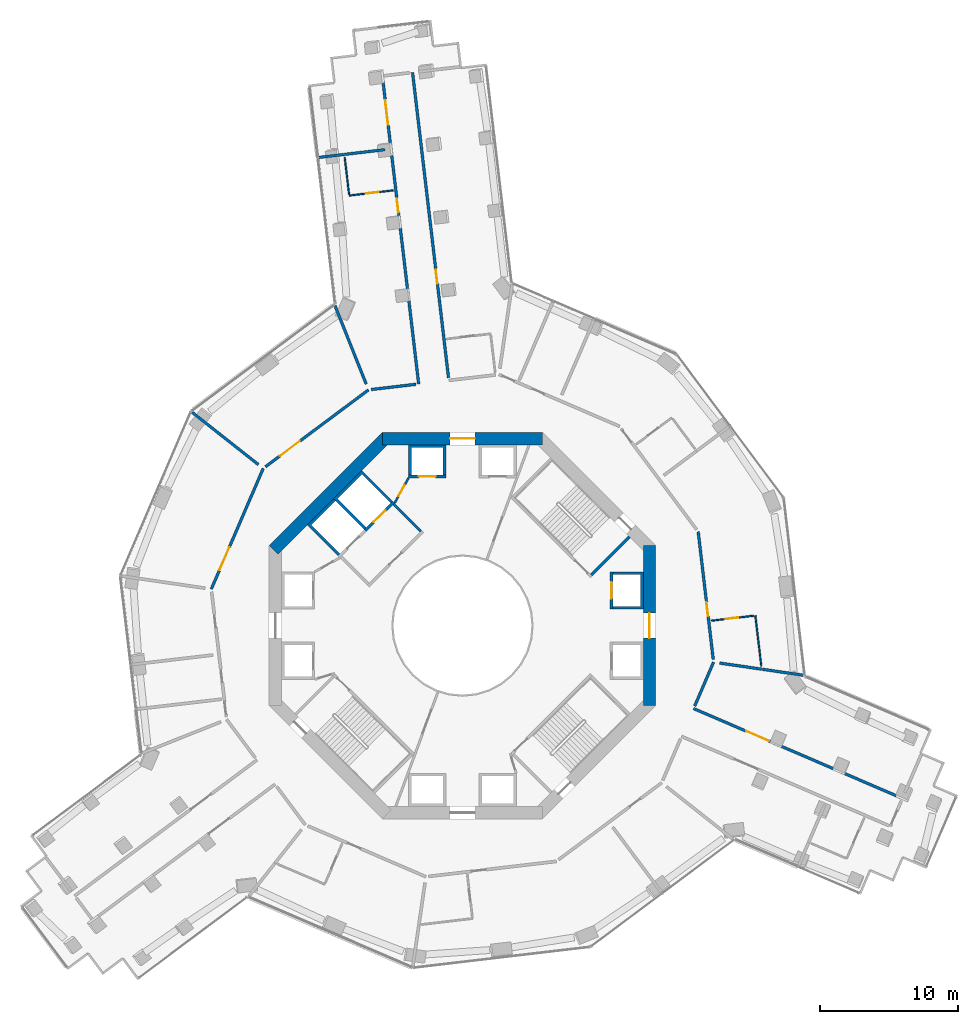
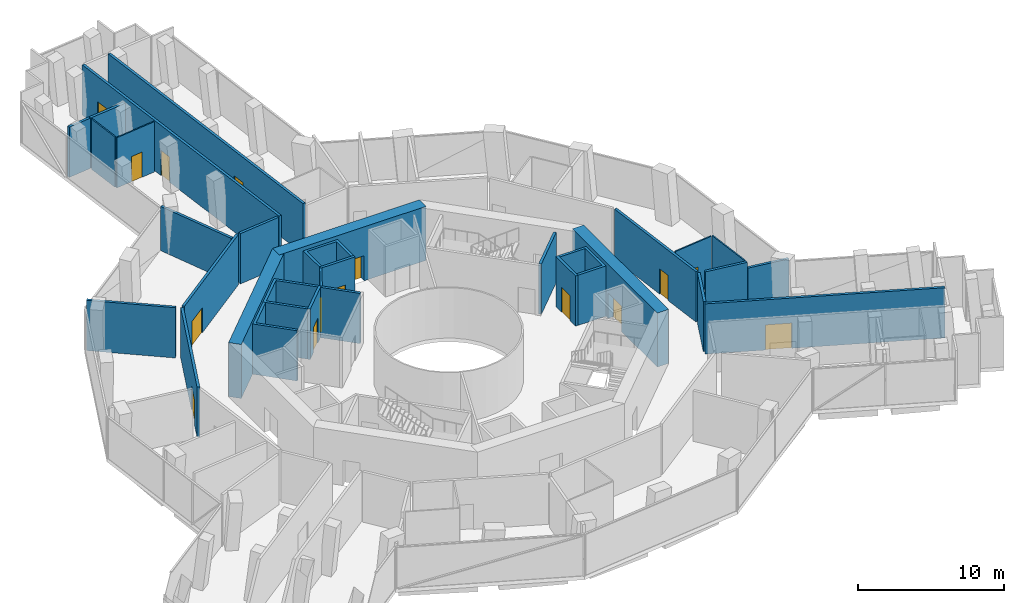
# One storey, part 13 of 17: 31 walls, 15 doors, 15 openings.
"""IFC4 building model written with IfcOpenShell, lengths in metres."""

from ifc_helpers import new_model, si_unit, direction, frame, frame_2d, origin, place, context, subcontext, project, spatial, polyline, rectangle, outline, extrude, material, layer, layer_set, type_object, element, fill, save


model = new_model("IFC4")

# Units and contexts
model_context = context("Model", 3, precision=1e-05, world=origin(), true_north=direction((0.0, 1.0)))
body_context = subcontext(model_context, "Body", "Model", "MODEL_VIEW")
ifc_project = project(units=[si_unit("LENGTHUNIT", "METRE"), si_unit("AREAUNIT", "SQUARE_METRE"), si_unit("VOLUMEUNIT", "CUBIC_METRE"), si_unit("PLANEANGLEUNIT", "RADIAN"), si_unit("MASSUNIT", "GRAM", prefix="KILO")], contexts=[model_context])

# Site, building, storey
site_placement = place(None, origin())
site = spatial("IfcSite", under=ifc_project, at=site_placement, CompositionType="ELEMENT")
building_placement = place(site_placement, origin())
building = spatial("IfcBuilding", under=site, at=building_placement, Name="Verdalira Terraces Hotel", CompositionType="ELEMENT")
storey_placement = place(building_placement, frame((0.0, 0.0, 60.0)))
storey = spatial("IfcBuildingStorey", under=building, at=storey_placement, Name="L13", CompositionType="ELEMENT", Elevation=60.0)

# Wall
ifc_material_1 = material(Name="Moisture-resistant gypsum board partition")
ifc_layer_1 = layer(ifc_material_1, 0.10009765625)
ifc_layer_set_1 = layer_set([ifc_layer_1], Name="Bathroom partition 100 mm")
wall_type_1 = type_object("IfcWallType", Name="Bathroom partition 100 mm", PredefinedType="PARTITIONING", material=ifc_layer_set_1)
wall_1_placement = place(storey_placement, frame((-8.213867, 31.256104, 0.0), z_axis=(0.0, 0.0, 1.0), x_axis=(-0.117009133, 0.993130839, 0.0)))
element("IfcWall", 1, at=wall_1_placement, inside=storey, type_object=wall_type_1, Name="Bathroom partition", PredefinedType="PARTITIONING", context=body_context, shape_type="SweptSolid", body=[
    extrude(rectangle(XDim=2.699951, YDim=0.100098, at=frame_2d((1.350098, 0.0))), origin(), (0.0, 0.0, 1.0), 4.189941),
])

# Wall, opening, door
wall_2_placement = place(storey_placement, frame((-8.202148, 31.156738, 0.0), z_axis=(0.0, 0.0, 1.0), x_axis=(0.993136536, 0.116960767, 0.0)))
wall_2 = element("IfcWall", 2, at=wall_2_placement, inside=storey, type_object=wall_type_1, Name="Bathroom partition", PredefinedType="PARTITIONING", context=body_context, shape_type="SweptSolid", body=[
    extrude(rectangle(XDim=3.199951, YDim=0.100098, at=frame_2d((1.600098, 0.0))), origin(), (0.0, 0.0, 1.0), 4.189941),
])
opening_1_placement = place(wall_2_placement, frame((1.25, 0.0, 0.0)))
opening_1 = element("IfcOpeningElement", 3, at=opening_1_placement, cuts=wall_2, Name="Opening L13-105", PredefinedType="OPENING", context=body_context, shape_type="SweptSolid", body=[
    extrude(rectangle(XDim=0.899902, YDim=2.100098, at=frame_2d((0.449951, 1.050049))), frame((0.0, 0.060059, 0.0), z_axis=(0.0, -1.0, 0.0), x_axis=(1.0, 0.0, 0.0)), (0.0, 0.0, 1.0), 0.120117),
])
ifc_material_2 = material(Name="Timber door", Category="wood")
door_type_1 = type_object("IfcDoorType", Name="Bathroom door 900 x 2100", OperationType="NOTDEFINED", PredefinedType="DOOR", material=ifc_material_2)
door_1_placement = place(opening_1_placement, origin())
door_1 = element("IfcDoor", 4, at=door_1_placement, inside=storey, type_object=door_type_1, Name="Bathroom door 1303", OperationType="SINGLE_SWING_LEFT", OverallHeight=2.10009765625, OverallWidth=0.89990234375, PredefinedType="DOOR", context=body_context, shape_type="SweptSolid", body=[
    extrude(rectangle(XDim=0.899902, YDim=2.100098, at=frame_2d((0.449951, 1.050049))), frame((0.0, 0.024902, 0.0), z_axis=(0.0, -1.0, 0.0), x_axis=(1.0, 0.0, 0.0)), (0.0, 0.0, 1.0), 0.050049),
])
fill(opening_1, door_1)

wall_3_placement = place(storey_placement, frame((21.119385, 0.718018, 0.0), z_axis=(0.0, 0.0, 1.0), x_axis=(-0.993128007, -0.117033166, 0.0)))
wall_3 = element("IfcWall", 5, at=wall_3_placement, inside=storey, type_object=wall_type_1, Name="Bathroom partition", PredefinedType="PARTITIONING", context=body_context, shape_type="SweptSolid", body=[
    extrude(rectangle(XDim=3.099854, YDim=0.100098, at=frame_2d((1.549805, 0.0))), origin(), (0.0, 0.0, 1.0), 4.189941),
])
opening_2_placement = place(wall_3_placement, frame((1.149902, 0.0, 0.0)))
opening_2 = element("IfcOpeningElement", 6, at=opening_2_placement, cuts=wall_3, Name="Opening L13-121", PredefinedType="OPENING", context=body_context, shape_type="SweptSolid", body=[
    extrude(rectangle(XDim=0.899902, YDim=2.100098, at=frame_2d((0.449951, 1.050049))), frame((0.0, 0.060059, 0.0), z_axis=(0.0, -1.0, 0.0), x_axis=(1.0, 0.0, 0.0)), (0.0, 0.0, 1.0), 0.120117),
])
door_2_placement = place(opening_2_placement, origin())
door_2 = element("IfcDoor", 7, at=door_2_placement, inside=storey, type_object=door_type_1, Name="Bathroom door 1315", OperationType="SINGLE_SWING_LEFT", OverallHeight=2.10009765625, OverallWidth=0.89990234375, PredefinedType="DOOR", context=body_context, shape_type="SweptSolid", body=[
    extrude(rectangle(XDim=0.899902, YDim=2.100098, at=frame_2d((0.449951, 1.050049))), frame((0.0, 0.024902, 0.0), z_axis=(0.0, -1.0, 0.0), x_axis=(1.0, 0.0, 0.0)), (0.0, 0.0, 1.0), 0.050049),
])
fill(opening_2, door_2)

# Walls
wall_4_placement = place(storey_placement, frame((21.21875, 0.729492, 0.0), z_axis=(0.0, 0.0, 1.0), x_axis=(0.116998046, -0.993132145, 0.0)))
element("IfcWall", 8, at=wall_4_placement, inside=storey, type_object=wall_type_1, Name="Bathroom partition", PredefinedType="PARTITIONING", context=body_context, shape_type="SweptSolid", body=[
    extrude(rectangle(XDim=3.703857, YDim=0.100098, at=frame_2d((1.852051, 0.0))), origin(), (0.0, 0.0, 1.0), 4.189941),
])
ifc_material_3 = material(Name="Concrete C50", Category="concrete")
ifc_layer_2 = layer(ifc_material_3, 0.199951171875)
ifc_layer_set_2 = layer_set([ifc_layer_2], Name="Core RC wall 200 C50")
wall_type_2 = type_object("IfcWallType", Name="Core RC wall 200 C50", PredefinedType="SOLIDWALL", material=ifc_layer_set_2)
wall_5_placement = place(storey_placement, origin())
element("IfcWall", 9, at=wall_5_placement, inside=storey, type_object=wall_type_2, Name="L13 shaft wall E2", PredefinedType="SOLIDWALL", context=body_context, shape_type="SweptSolid", body=[
    extrude(outline(polyline([(13.100098, 3.899902), (13.100098, 1.199951), (10.899902, 1.199951), (10.899902, 1.399902), (12.899902, 1.399902), (12.899902, 3.699951), (10.899902, 3.699951), (10.899902, 3.899902), (13.100098, 3.899902)])), origin(), (0.0, 0.0, 1.0), 4.189941),
])

# Wall, opening, door
wall_6_placement = place(storey_placement, frame((10.800049, 1.199951, 0.0), z_axis=(0.0, 0.0, 1.0), x_axis=(0.0, 1.0, 0.0)))
wall_6 = element("IfcWall", 10, at=wall_6_placement, inside=storey, type_object=wall_type_2, Name="L13 shaft front wall E2", PredefinedType="SOLIDWALL", context=body_context, shape_type="SweptSolid", body=[
    extrude(rectangle(XDim=2.699951, YDim=0.199951, at=frame_2d((1.350098, 0.0))), origin(), (0.0, 0.0, 1.0), 4.189941),
])
opening_3_placement = place(wall_6_placement, frame((0.75, 0.0, 0.0)))
opening_3 = element("IfcOpeningElement", 11, at=opening_3_placement, cuts=wall_6, Name="Opening LD-L13-802", PredefinedType="OPENING", context=body_context, shape_type="SweptSolid", body=[
    extrude(rectangle(XDim=1.199951, YDim=2.100098, at=frame_2d((0.600098, 1.050049))), frame((0.0, 0.109863, 0.0), z_axis=(0.0, -1.0, 0.0), x_axis=(1.0, 0.0, 0.0)), (0.0, 0.0, 1.0), 0.219971),
])
ifc_material_4 = material(Name="Stainless steel", Category="steel")
door_type_2 = type_object("IfcDoorType", Name="Landing door 1200 x 2100", OperationType="NOTDEFINED", PredefinedType="DOOR", material=ifc_material_4)
door_3_placement = place(opening_3_placement, origin())
door_3 = element("IfcDoor", 12, at=door_3_placement, inside=storey, type_object=door_type_2, Name="Lift landing door LR2 L13", OperationType="DOUBLE_DOOR_SLIDING", OverallHeight=2.10009765625, OverallWidth=1.199951171875, PredefinedType="DOOR", context=body_context, shape_type="SweptSolid", body=[
    extrude(rectangle(XDim=1.199951, YDim=2.100098, at=frame_2d((0.600098, 1.050049))), frame((0.0, 0.024902, 0.0), z_axis=(0.0, -1.0, 0.0), x_axis=(1.0, 0.0, 0.0)), (0.0, 0.0, 1.0), 0.050049),
])
fill(opening_3, door_3)

# Wall
wall_7_placement = place(storey_placement, origin())
element("IfcWall", 13, at=wall_7_placement, inside=storey, type_object=wall_type_2, Name="L13 shaft wall N2", PredefinedType="SOLIDWALL", context=body_context, shape_type="SweptSolid", body=[
    extrude(outline(polyline([(-3.899902, 10.899902), (-3.899902, 13.100098), (-1.199951, 13.100098), (-1.199951, 10.899902), (-1.399902, 10.899902), (-1.399902, 12.899902), (-3.699951, 12.899902), (-3.699951, 10.899902), (-3.899902, 10.899902)])), origin(), (0.0, 0.0, 1.0), 4.189941),
])

# Wall, opening, door
wall_8_placement = place(storey_placement, frame((-1.199951, 10.800049, 0.0), z_axis=(0.0, 0.0, 1.0), x_axis=(-1.0, 0.0, 0.0)))
wall_8 = element("IfcWall", 14, at=wall_8_placement, inside=storey, type_object=wall_type_2, Name="L13 shaft front wall N2", PredefinedType="SOLIDWALL", context=body_context, shape_type="SweptSolid", body=[
    extrude(rectangle(XDim=2.699951, YDim=0.199951, at=frame_2d((1.350098, 0.0))), origin(), (0.0, 0.0, 1.0), 4.189941),
])
opening_4_placement = place(wall_8_placement, frame((0.75, 0.0, 0.0)))
opening_4 = element("IfcOpeningElement", 15, at=opening_4_placement, cuts=wall_8, Name="Opening LD-L13-804", PredefinedType="OPENING", context=body_context, shape_type="SweptSolid", body=[
    extrude(rectangle(XDim=1.199951, YDim=2.100098, at=frame_2d((0.600098, 1.050049))), frame((0.0, 0.109863, 0.0), z_axis=(0.0, -1.0, 0.0), x_axis=(1.0, 0.0, 0.0)), (0.0, 0.0, 1.0), 0.219971),
])
door_4_placement = place(opening_4_placement, origin())
door_4 = element("IfcDoor", 16, at=door_4_placement, inside=storey, type_object=door_type_2, Name="Lift landing door LR4 L13", OperationType="DOUBLE_DOOR_SLIDING", OverallHeight=2.10009765625, OverallWidth=1.199951171875, PredefinedType="DOOR", context=body_context, shape_type="SweptSolid", body=[
    extrude(rectangle(XDim=1.199951, YDim=2.100098, at=frame_2d((0.600098, 1.050049))), frame((0.0, 0.024902, 0.0), z_axis=(0.0, -1.0, 0.0), x_axis=(1.0, 0.0, 0.0)), (0.0, 0.0, 1.0), 0.050049),
])
fill(opening_4, door_4)

# Wall
wall_9_placement = place(storey_placement, origin())
element("IfcWall", 17, at=wall_9_placement, inside=storey, type_object=wall_type_2, Name="L13 shaft wall F1", PredefinedType="SOLIDWALL", context=body_context, shape_type="SweptSolid", body=[
    extrude(outline(polyline([(-9.33374, 9.192383), (-7.283203, 11.24292), (-5.055908, 9.015625), (-5.197266, 8.874268), (-7.283203, 10.960205), (-9.051025, 9.192383), (-6.965088, 7.106445), (-7.106445, 6.965088), (-9.33374, 9.192383)])), origin(), (0.0, 0.0, 1.0), 4.189941),
])

# Wall, opening, door
wall_10_placement = place(storey_placement, frame((-4.985107, 8.944824, 0.0), z_axis=(0.0, 0.0, 1.0), x_axis=(-0.707106781, -0.707106781, 0.0)))
wall_10 = element("IfcWall", 18, at=wall_10_placement, inside=storey, type_object=wall_type_2, Name="L13 shaft front wall F1", PredefinedType="SOLIDWALL", context=body_context, shape_type="SweptSolid", body=[
    extrude(rectangle(XDim=2.899902, YDim=0.199951, at=frame_2d((1.449951, 0.0))), origin(), (0.0, 0.0, 1.0), 4.189941),
])
opening_5_placement = place(wall_10_placement, frame((0.850098, 0.0, 0.0)))
opening_5 = element("IfcOpeningElement", 19, at=opening_5_placement, cuts=wall_10, Name="Opening LD-L13-807", PredefinedType="OPENING", context=body_context, shape_type="SweptSolid", body=[
    extrude(rectangle(XDim=1.199951, YDim=2.100098, at=frame_2d((0.600098, 1.050049))), frame((0.0, 0.109863, 0.0), z_axis=(0.0, -1.0, 0.0), x_axis=(1.0, 0.0, 0.0)), (0.0, 0.0, 1.0), 0.219971),
])
door_5_placement = place(opening_5_placement, origin())
door_5 = element("IfcDoor", 20, at=door_5_placement, inside=storey, type_object=door_type_2, Name="Lift landing door LF11 L13", OperationType="DOUBLE_DOOR_SLIDING", OverallHeight=2.10009765625, OverallWidth=1.199951171875, PredefinedType="DOOR", context=body_context, shape_type="SweptSolid", body=[
    extrude(rectangle(XDim=1.199951, YDim=2.100098, at=frame_2d((0.600098, 1.050049))), frame((0.0, 0.024902, 0.0), z_axis=(0.0, -1.0, 0.0), x_axis=(1.0, 0.0, 0.0)), (0.0, 0.0, 1.0), 0.050049),
])
fill(opening_5, door_5)

# Walls
wall_11_placement = place(storey_placement, origin())
element("IfcWall", 21, at=wall_11_placement, inside=storey, type_object=wall_type_2, Name="L13 shaft wall F2", PredefinedType="SOLIDWALL", context=body_context, shape_type="SweptSolid", body=[
    extrude(outline(polyline([(-11.24292, 7.283203), (-9.33374, 9.192383), (-9.192383, 9.051025), (-10.960205, 7.283203), (-8.874268, 5.197266), (-9.015625, 5.055908), (-11.24292, 7.283203)])), origin(), (0.0, 0.0, 1.0), 4.189941),
])
wall_12_placement = place(storey_placement, frame((9.33374, 3.677002, 0.0), z_axis=(0.0, 0.0, 1.0), x_axis=(0.707106781, 0.707106781, 0.0)))
element("IfcWall", 22, at=wall_12_placement, inside=storey, type_object=wall_type_2, Name="L13 stair ST1 end wall 1", PredefinedType="SOLIDWALL", context=body_context, shape_type="SweptSolid", body=[
    extrude(rectangle(XDim=3.900146, YDim=0.199951, at=frame_2d((1.950195, 0.0))), origin(), (0.0, 0.0, 1.0), 4.189941),
])
wall_13_placement = place(storey_placement, frame((-3.005127, 6.823486, 0.0), z_axis=(0.0, 0.0, 1.0), x_axis=(-0.707106781, 0.707106781, 0.0)))
element("IfcWall", 23, at=wall_13_placement, inside=storey, type_object=wall_type_2, Name="L13 fire lobby wall", PredefinedType="SOLIDWALL", context=body_context, shape_type="SweptSolid", body=[
    extrude(rectangle(XDim=2.800049, YDim=0.199951, at=frame_2d((1.399902, 0.0))), origin(), (0.0, 0.0, 1.0), 4.189941),
])

# Wall, opening, door
ifc_material_5 = material(Name="Gypsum board partition")
ifc_layer_3 = layer(ifc_material_5, 0.14990234375)
ifc_layer_set_3 = layer_set([ifc_layer_3], Name="Core partition 150 mm")
wall_type_3 = type_object("IfcWallType", Name="Core partition 150 mm", PredefinedType="PARTITIONING", material=ifc_layer_set_3)
wall_14_placement = place(storey_placement, frame((-3.899902, 10.699951, 0.0), z_axis=(0.0, 0.0, 1.0), x_axis=(-0.485692555, -0.874129705, 0.0)))
wall_14 = element("IfcWall", 24, at=wall_14_placement, inside=storey, type_object=wall_type_3, Name="Room partition L13", PredefinedType="PARTITIONING", context=body_context, shape_type="SweptSolid", body=[
    extrude(rectangle(XDim=2.088623, YDim=0.149902, at=frame_2d((1.044434, 0.0))), origin(), (0.0, 0.0, 1.0), 4.189941),
])
opening_6_placement = place(wall_14_placement, frame((0.594238, 0.0, 0.0)))
opening_6 = element("IfcOpeningElement", 25, at=opening_6_placement, cuts=wall_14, Name="Opening L13-820", PredefinedType="OPENING", context=body_context, shape_type="SweptSolid", body=[
    extrude(rectangle(XDim=0.899902, YDim=2.100098, at=frame_2d((0.449951, 1.050049))), frame((0.0, 0.084961, 0.0), z_axis=(0.0, -1.0, 0.0), x_axis=(1.0, 0.0, 0.0)), (0.0, 0.0, 1.0), 0.169922),
])
ifc_material_6 = material(Name="Steel fire door", Category="steel")
door_type_3 = type_object("IfcDoorType", Name="Core room door 900 x 2100", OperationType="NOTDEFINED", PredefinedType="DOOR", material=ifc_material_6)
door_6_placement = place(opening_6_placement, origin())
door_6 = element("IfcDoor", 26, at=door_6_placement, inside=storey, type_object=door_type_3, Name="Door L13 room2", OperationType="SINGLE_SWING_LEFT", OverallHeight=2.10009765625, OverallWidth=0.89990234375, PredefinedType="DOOR", context=body_context, shape_type="SweptSolid", body=[
    extrude(rectangle(XDim=0.899902, YDim=2.100098, at=frame_2d((0.449951, 1.050049))), frame((0.0, 0.024902, 0.0), z_axis=(0.0, -1.0, 0.0), x_axis=(1.0, 0.0, 0.0)), (0.0, 0.0, 1.0), 0.050049),
])
fill(opening_6, door_6)

ifc_material_7 = material(Name="Concrete C70", Category="concrete")
ifc_layer_4 = layer(ifc_material_7, 0.89990234375)
ifc_layer_set_4 = layer_set([ifc_layer_4], Name="Core wall 900 C70")
wall_type_4 = type_object("IfcWallType", Name="Core wall 900 C70", PredefinedType="SHEAR", material=ifc_layer_set_4)
wall_15_placement = place(storey_placement, frame((13.550049, -5.799072, 0.0), z_axis=(0.0, 0.0, 1.0), x_axis=(0.0, 1.0, 0.0)))
wall_15 = element("IfcWall", 27, at=wall_15_placement, inside=storey, type_object=wall_type_4, Name="Core wall CW-L13-1", PredefinedType="SHEAR", context=body_context, shape_type="SweptSolid", body=[
    extrude(rectangle(XDim=11.598145, YDim=0.899902, at=frame_2d((5.799072, 0.0))), origin(), (0.0, 0.0, 1.0), 4.5),
])
opening_7_placement = place(wall_15_placement, frame((4.898926, 0.0, 0.0)))
opening_7 = element("IfcOpeningElement", 28, at=opening_7_placement, cuts=wall_15, Name="Opening L13-812", PredefinedType="OPENING", context=body_context, shape_type="SweptSolid", body=[
    extrude(rectangle(XDim=1.800049, YDim=2.100098, at=frame_2d((0.899902, 1.050049))), frame((0.0, 0.459961, 0.0), z_axis=(0.0, -1.0, 0.0), x_axis=(1.0, 0.0, 0.0)), (0.0, 0.0, 1.0), 0.919922),
])
ifc_material_8 = material(Name="Steel fire door", Category="steel")
door_type_4 = type_object("IfcDoorType", Name="Core entry door pair 1800 x 2100", OperationType="NOTDEFINED", PredefinedType="DOOR", material=ifc_material_8)
door_7_placement = place(opening_7_placement, origin())
door_7 = element("IfcDoor", 29, at=door_7_placement, inside=storey, type_object=door_type_4, Name="Core entry door L13 0", OperationType="DOUBLE_DOOR_SINGLE_SWING", OverallHeight=2.10009765625, OverallWidth=1.800048828125, PredefinedType="DOOR", context=body_context, shape_type="SweptSolid", body=[
    extrude(rectangle(XDim=1.800049, YDim=2.100098, at=frame_2d((0.899902, 1.050049))), frame((0.0, 0.024902, 0.0), z_axis=(0.0, -1.0, 0.0), x_axis=(1.0, 0.0, 0.0)), (0.0, 0.0, 1.0), 0.050049),
])
fill(opening_7, door_7)

wall_16_placement = place(storey_placement, frame((5.799072, 13.550049, 0.0), z_axis=(0.0, 0.0, 1.0), x_axis=(-1.0, 0.0, 0.0)))
wall_16 = element("IfcWall", 30, at=wall_16_placement, inside=storey, type_object=wall_type_4, Name="Core wall CW-L13-3", PredefinedType="SHEAR", context=body_context, shape_type="SweptSolid", body=[
    extrude(rectangle(XDim=11.598145, YDim=0.899902, at=frame_2d((5.799072, 0.0))), origin(), (0.0, 0.0, 1.0), 4.5),
])
opening_8_placement = place(wall_16_placement, frame((4.898926, 0.0, 0.0)))
opening_8 = element("IfcOpeningElement", 31, at=opening_8_placement, cuts=wall_16, Name="Opening L13-813", PredefinedType="OPENING", context=body_context, shape_type="SweptSolid", body=[
    extrude(rectangle(XDim=1.800049, YDim=2.100098, at=frame_2d((0.899902, 1.050049))), frame((0.0, 0.459961, 0.0), z_axis=(0.0, -1.0, 0.0), x_axis=(1.0, 0.0, 0.0)), (0.0, 0.0, 1.0), 0.919922),
])
door_8_placement = place(opening_8_placement, origin())
door_8 = element("IfcDoor", 32, at=door_8_placement, inside=storey, type_object=door_type_4, Name="Core entry door L13 2", OperationType="DOUBLE_DOOR_SINGLE_SWING", OverallHeight=2.10009765625, OverallWidth=1.800048828125, PredefinedType="DOOR", context=body_context, shape_type="SweptSolid", body=[
    extrude(rectangle(XDim=1.800049, YDim=2.100098, at=frame_2d((0.899902, 1.050049))), frame((0.0, 0.024902, 0.0), z_axis=(0.0, -1.0, 0.0), x_axis=(1.0, 0.0, 0.0)), (0.0, 0.0, 1.0), 0.050049),
])
fill(opening_8, door_8)

# Walls
wall_17_placement = place(storey_placement, frame((-5.480713, 13.681885, 0.0), z_axis=(0.0, 0.0, 1.0), x_axis=(-0.707106781, -0.707106781, 0.0)))
element("IfcWall", 33, at=wall_17_placement, inside=storey, type_object=wall_type_4, Name="Core wall CW-L13-4", PredefinedType="SHEAR", context=body_context, shape_type="SweptSolid", body=[
    extrude(rectangle(XDim=11.598145, YDim=0.899902, at=frame_2d((5.799072, 0.0))), origin(), (0.0, 0.0, 1.0), 4.5),
])
ifc_material_9 = material(Name="Fire-rated gypsum board wall")
ifc_layer_5 = layer(ifc_material_9, 0.199951171875)
ifc_layer_set_5 = layer_set([ifc_layer_5], Name="Demising wall 200 mm")
wall_type_5 = type_object("IfcWallType", Name="Demising wall 200 mm", PredefinedType="SOLIDWALL", material=ifc_layer_set_5)
wall_18_placement = place(storey_placement, frame((-14.782959, 11.666504, 0.0), z_axis=(0.0, 0.0, 1.0), x_axis=(-0.78499995, 0.619495827, 0.0)))
element("IfcWall", 34, at=wall_18_placement, inside=storey, type_object=wall_type_5, Name="Demising wall", PredefinedType="SOLIDWALL", context=body_context, shape_type="SweptSolid", body=[
    extrude(rectangle(XDim=6.13208, YDim=0.199951, at=frame_2d((3.065918, 0.0))), origin(), (0.0, 0.0, 1.0), 4.189941),
])
wall_19_placement = place(storey_placement, frame((-8.60083, 34.130615, 0.0), z_axis=(0.0, 0.0, 1.0), x_axis=(-0.993124685, -0.117061354, 0.0)))
element("IfcWall", 35, at=wall_19_placement, inside=storey, type_object=wall_type_5, Name="Demising wall", PredefinedType="SOLIDWALL", context=body_context, shape_type="SweptSolid", body=[
    extrude(rectangle(XDim=1.802002, YDim=0.199951, at=frame_2d((0.900879, 0.0))), origin(), (0.0, 0.0, 1.0), 4.189941),
])
wall_20_placement = place(storey_placement, frame((-5.62085, 34.481689, 0.0), z_axis=(0.0, 0.0, 1.0), x_axis=(-0.993122942, -0.11707614, 0.0)))
element("IfcWall", 36, at=wall_20_placement, inside=storey, type_object=wall_type_5, Name="Demising wall", PredefinedType="SOLIDWALL", context=body_context, shape_type="SweptSolid", body=[
    extrude(rectangle(XDim=2.954834, YDim=0.199951, at=frame_2d((1.477539, 0.0))), origin(), (0.0, 0.0, 1.0), 4.189941),
])
wall_21_placement = place(storey_placement, frame((18.635742, -2.711914, 0.0), z_axis=(0.0, 0.0, 1.0), x_axis=(0.989572863, -0.144033152, 0.0)))
element("IfcWall", 37, at=wall_21_placement, inside=storey, type_object=wall_type_5, Name="Demising wall", PredefinedType="SOLIDWALL", context=body_context, shape_type="SweptSolid", body=[
    extrude(rectangle(XDim=3.074707, YDim=0.199951, at=frame_2d((1.537354, 0.0))), origin(), (0.0, 0.0, 1.0), 4.189941),
])
ifc_material_10 = material(Name="Fire-rated gypsum board wall")
ifc_layer_6 = layer(ifc_material_10, 0.199951171875)
ifc_layer_set_6 = layer_set([ifc_layer_6], Name="Demising wall 200 mm to beam soffit")
wall_type_6 = type_object("IfcWallType", Name="Demising wall 200 mm to beam soffit", PredefinedType="SOLIDWALL", material=ifc_layer_set_6)
wall_22_placement = place(storey_placement, frame((-9.238525, 23.19165, 0.0), z_axis=(0.0, 0.0, 1.0), x_axis=(0.370079161, -0.929000223, 0.0)))
element("IfcWall", 38, at=wall_22_placement, inside=storey, type_object=wall_type_6, Name="Demising wall", PredefinedType="SOLIDWALL", context=body_context, shape_type="SweptSolid", body=[
    extrude(rectangle(XDim=6.131836, YDim=0.199951, at=frame_2d((3.065918, 0.0))), origin(), (0.0, 0.0, 1.0), 3.689941),
])
wall_23_placement = place(storey_placement, frame((21.723877, -3.161377, 0.0), z_axis=(0.0, 0.0, 1.0), x_axis=(0.989568164, -0.144065429, 0.0)))
element("IfcWall", 39, at=wall_23_placement, inside=storey, type_object=wall_type_6, Name="Demising wall", PredefinedType="SOLIDWALL", context=body_context, shape_type="SweptSolid", body=[
    extrude(rectangle(XDim=3.011475, YDim=0.199951, at=frame_2d((1.505859, 0.0))), origin(), (0.0, 0.0, 1.0), 3.689941),
])

# Wall, opening, door
ifc_material_11 = material(Name="Fire-rated gypsum board wall")
ifc_layer_7 = layer(ifc_material_11, 0.199951171875)
ifc_layer_set_7 = layer_set([ifc_layer_7], Name="Guest corridor wall 200 mm")
wall_type_7 = type_object("IfcWallType", Name="Guest corridor wall 200 mm", PredefinedType="SOLIDWALL", material=ifc_layer_set_7)
wall_24_placement = place(storey_placement, frame((-18.193115, 2.647705, 0.0), z_axis=(0.0, 0.0, 1.0), x_axis=(0.395231694, 0.918581465, 0.0)))
wall_24 = element("IfcWall", 40, at=wall_24_placement, inside=storey, type_object=wall_type_7, Name="Guest corridor wall", PredefinedType="SOLIDWALL", context=body_context, shape_type="SweptSolid", body=[
    extrude(rectangle(XDim=9.516602, YDim=0.199951, at=frame_2d((4.758301, 0.0))), origin(), (0.0, 0.0, 1.0), 4.189941),
])
opening_9_placement = place(wall_24_placement, frame((1.5, 0.0, 0.0)))
opening_9 = element("IfcOpeningElement", 41, at=opening_9_placement, cuts=wall_24, Name="Opening L13-107", PredefinedType="OPENING", context=body_context, shape_type="SweptSolid", body=[
    extrude(rectangle(XDim=1.800049, YDim=2.100098, at=frame_2d((0.899902, 1.050049))), frame((0.0, 0.109863, 0.0), z_axis=(0.0, -1.0, 0.0), x_axis=(1.0, 0.0, 0.0)), (0.0, 0.0, 1.0), 0.219971),
])
ifc_material_12 = material(Name="Timber fire door", Category="wood")
door_type_5 = type_object("IfcDoorType", Name="Public room double door 1800 x 2100", OperationType="NOTDEFINED", PredefinedType="DOOR", material=ifc_material_12)
door_9_placement = place(opening_9_placement, origin())
door_9 = element("IfcDoor", 42, at=door_9_placement, inside=storey, type_object=door_type_5, Name="Public room double door 1305", OperationType="DOUBLE_DOOR_SINGLE_SWING", OverallHeight=2.10009765625, OverallWidth=1.800048828125, PredefinedType="DOOR", context=body_context, shape_type="SweptSolid", body=[
    extrude(rectangle(XDim=1.800049, YDim=2.100098, at=frame_2d((0.899902, 1.050049))), frame((0.0, 0.024902, 0.0), z_axis=(0.0, -1.0, 0.0), x_axis=(1.0, 0.0, 0.0)), (0.0, 0.0, 1.0), 0.050049),
])
fill(opening_9, door_9)

wall_25_placement = place(storey_placement, frame((-14.271484, 11.509033, 0.0), z_axis=(0.0, 0.0, 1.0), x_axis=(0.801557016, 0.597918348, 0.0)))
wall_25 = element("IfcWall", 43, at=wall_25_placement, inside=storey, type_object=wall_type_7, Name="Guest corridor wall", PredefinedType="SOLIDWALL", context=body_context, shape_type="SweptSolid", body=[
    extrude(rectangle(XDim=9.31665, YDim=0.199951, at=frame_2d((4.658203, 0.0))), origin(), (0.0, 0.0, 1.0), 4.189941),
])
opening_10_placement = place(wall_25_placement, frame((1.300049, 0.0, 0.0)))
opening_10 = element("IfcOpeningElement", 44, at=opening_10_placement, cuts=wall_25, Name="Opening L13-106", PredefinedType="OPENING", context=body_context, shape_type="SweptSolid", body=[
    extrude(rectangle(XDim=1.800049, YDim=2.100098, at=frame_2d((0.899902, 1.050049))), frame((0.0, 0.109863, 0.0), z_axis=(0.0, -1.0, 0.0), x_axis=(1.0, 0.0, 0.0)), (0.0, 0.0, 1.0), 0.219971),
])
door_10_placement = place(opening_10_placement, origin())
door_10 = element("IfcDoor", 45, at=door_10_placement, inside=storey, type_object=door_type_5, Name="Public room double door 1304", OperationType="DOUBLE_DOOR_SINGLE_SWING", OverallHeight=2.10009765625, OverallWidth=1.800048828125, PredefinedType="DOOR", context=body_context, shape_type="SweptSolid", body=[
    extrude(rectangle(XDim=1.800049, YDim=2.100098, at=frame_2d((0.899902, 1.050049))), frame((0.0, 0.024902, 0.0), z_axis=(0.0, -1.0, 0.0), x_axis=(1.0, 0.0, 0.0)), (0.0, 0.0, 1.0), 0.050049),
])
fill(opening_10, door_10)

# Wall
wall_26_placement = place(storey_placement, frame((-3.369141, 17.484131, 0.0), z_axis=(0.0, 0.0, 1.0), x_axis=(-0.993127057, -0.11704123, 0.0)))
element("IfcWall", 46, at=wall_26_placement, inside=storey, type_object=wall_type_7, Name="Guest corridor wall", PredefinedType="SOLIDWALL", context=body_context, shape_type="SweptSolid", body=[
    extrude(rectangle(XDim=3.258301, YDim=0.199951, at=frame_2d((1.62915, 0.0))), origin(), (0.0, 0.0, 1.0), 4.189941),
])

# Wall, openings, doors
wall_27_placement = place(storey_placement, frame((-3.17041, 17.507812, 0.0), z_axis=(0.0, 0.0, 1.0), x_axis=(-0.117027895, 0.993128628, 0.0)))
wall_27 = element("IfcWall", 47, at=wall_27_placement, inside=storey, type_object=wall_type_7, Name="Guest corridor wall", PredefinedType="SOLIDWALL", context=body_context, shape_type="SweptSolid", body=[
    extrude(rectangle(XDim=22.463867, YDim=0.199951, at=frame_2d((11.231934, 0.0))), origin(), (0.0, 0.0, 1.0), 4.189941),
])
opening_11_placement = place(wall_27_placement, frame((18.894043, 0.0, 0.0)))
opening_11 = element("IfcOpeningElement", 48, at=opening_11_placement, cuts=wall_27, Name="Opening L13-103", PredefinedType="OPENING", context=body_context, shape_type="SweptSolid", body=[
    extrude(rectangle(XDim=1.800049, YDim=2.100098, at=frame_2d((0.899902, 1.050049))), frame((0.0, 0.109863, 0.0), z_axis=(0.0, -1.0, 0.0), x_axis=(1.0, 0.0, 0.0)), (0.0, 0.0, 1.0), 0.219971),
])
opening_12_placement = place(wall_27_placement, frame((12.5, 0.0, 0.0)))
opening_12 = element("IfcOpeningElement", 49, at=opening_12_placement, cuts=wall_27, Name="Opening L13-104", PredefinedType="OPENING", context=body_context, shape_type="SweptSolid", body=[
    extrude(rectangle(XDim=1.0, YDim=2.100098, at=frame_2d((0.5, 1.050049))), frame((0.0, 0.109863, 0.0), z_axis=(0.0, -1.0, 0.0), x_axis=(1.0, 0.0, 0.0)), (0.0, 0.0, 1.0), 0.219971),
])
ifc_material_13 = material(Name="Timber fire door", Category="wood")
door_type_6 = type_object("IfcDoorType", Name="Guest entry door 1000 x 2100", OperationType="NOTDEFINED", PredefinedType="DOOR", material=ifc_material_13)
door_11_placement = place(opening_12_placement, origin())
door_11 = element("IfcDoor", 50, at=door_11_placement, inside=storey, type_object=door_type_6, Name="Guest entry door 1303", OperationType="SINGLE_SWING_LEFT", OverallHeight=2.10009765625, OverallWidth=1.0, PredefinedType="DOOR", context=body_context, shape_type="SweptSolid", body=[
    extrude(rectangle(XDim=1.0, YDim=2.100098, at=frame_2d((0.5, 1.050049))), frame((0.0, 0.024902, 0.0), z_axis=(0.0, -1.0, 0.0), x_axis=(1.0, 0.0, 0.0)), (0.0, 0.0, 1.0), 0.050049),
])
fill(opening_12, door_11)
door_12_placement = place(opening_11_placement, origin())
door_12 = element("IfcDoor", 51, at=door_12_placement, inside=storey, type_object=door_type_5, Name="Public room double door 1302", OperationType="DOUBLE_DOOR_SINGLE_SWING", OverallHeight=2.10009765625, OverallWidth=1.800048828125, PredefinedType="DOOR", context=body_context, shape_type="SweptSolid", body=[
    extrude(rectangle(XDim=1.800049, YDim=2.100098, at=frame_2d((0.899902, 1.050049))), frame((0.0, 0.024902, 0.0), z_axis=(0.0, -1.0, 0.0), x_axis=(1.0, 0.0, 0.0)), (0.0, 0.0, 1.0), 0.050049),
])
fill(opening_11, door_12)

# Wall, opening, door
wall_28_placement = place(storey_placement, frame((-3.614502, 40.076904, 0.0), z_axis=(0.0, 0.0, 1.0), x_axis=(0.117014285, -0.993130232, 0.0)))
wall_28 = element("IfcWall", 52, at=wall_28_placement, inside=storey, type_object=wall_type_7, Name="Guest corridor wall", PredefinedType="SOLIDWALL", context=body_context, shape_type="SweptSolid", body=[
    extrude(rectangle(XDim=22.266357, YDim=0.199951, at=frame_2d((11.133301, 0.0))), origin(), (0.0, 0.0, 1.0), 4.189941),
])
opening_13_placement = place(wall_28_placement, frame((14.399902, 0.0, 0.0)))
opening_13 = element("IfcOpeningElement", 53, at=opening_13_placement, cuts=wall_28, Name="Opening L13-101", PredefinedType="OPENING", context=body_context, shape_type="SweptSolid", body=[
    extrude(rectangle(XDim=1.0, YDim=2.100098, at=frame_2d((0.5, 1.050049))), frame((0.0, 0.109863, 0.0), z_axis=(0.0, -1.0, 0.0), x_axis=(1.0, 0.0, 0.0)), (0.0, 0.0, 1.0), 0.219971),
])
door_13_placement = place(opening_13_placement, origin())
door_13 = element("IfcDoor", 54, at=door_13_placement, inside=storey, type_object=door_type_6, Name="Guest entry door 1301", OperationType="SINGLE_SWING_LEFT", OverallHeight=2.10009765625, OverallWidth=1.0, PredefinedType="DOOR", context=body_context, shape_type="SweptSolid", body=[
    extrude(rectangle(XDim=1.0, YDim=2.100098, at=frame_2d((0.5, 1.050049))), frame((0.0, 0.024902, 0.0), z_axis=(0.0, -1.0, 0.0), x_axis=(1.0, 0.0, 0.0)), (0.0, 0.0, 1.0), 0.050049),
])
fill(opening_13, door_13)

# Wall
wall_29_placement = place(storey_placement, frame((16.826416, -5.824219, 0.0), z_axis=(0.0, 0.0, 1.0), x_axis=(0.39522258, 0.918585386, 0.0)))
element("IfcWall", 55, at=wall_29_placement, inside=storey, type_object=wall_type_7, Name="Guest corridor wall", PredefinedType="SOLIDWALL", context=body_context, shape_type="SweptSolid", body=[
    extrude(rectangle(XDim=3.458008, YDim=0.199951, at=frame_2d((1.729004, 0.0))), origin(), (0.0, 0.0, 1.0), 4.189941),
])

# Wall, opening, door
wall_30_placement = place(storey_placement, frame((17.07959, 6.802979, 0.0), z_axis=(0.0, 0.0, 1.0), x_axis=(0.117013065, -0.993130375, 0.0)))
wall_30 = element("IfcWall", 56, at=wall_30_placement, inside=storey, type_object=wall_type_7, Name="Guest corridor wall", PredefinedType="SOLIDWALL", context=body_context, shape_type="SweptSolid", body=[
    extrude(rectangle(XDim=9.315918, YDim=0.199951, at=frame_2d((4.657959, 0.0))), origin(), (0.0, 0.0, 1.0), 4.189941),
])
opening_14_placement = place(wall_30_placement, frame((5.149902, 0.0, 0.0)))
opening_14 = element("IfcOpeningElement", 57, at=opening_14_placement, cuts=wall_30, Name="Opening L13-120", PredefinedType="OPENING", context=body_context, shape_type="SweptSolid", body=[
    extrude(rectangle(XDim=1.0, YDim=2.100098, at=frame_2d((0.5, 1.050049))), frame((0.0, 0.109863, 0.0), z_axis=(0.0, -1.0, 0.0), x_axis=(1.0, 0.0, 0.0)), (0.0, 0.0, 1.0), 0.219971),
])
door_14_placement = place(opening_14_placement, origin())
door_14 = element("IfcDoor", 58, at=door_14_placement, inside=storey, type_object=door_type_6, Name="Guest entry door 1315", OperationType="SINGLE_SWING_LEFT", OverallHeight=2.10009765625, OverallWidth=1.0, PredefinedType="DOOR", context=body_context, shape_type="SweptSolid", body=[
    extrude(rectangle(XDim=1.0, YDim=2.100098, at=frame_2d((0.5, 1.050049))), frame((0.0, 0.024902, 0.0), z_axis=(0.0, -1.0, 0.0), x_axis=(1.0, 0.0, 0.0)), (0.0, 0.0, 1.0), 0.050049),
])
fill(opening_14, door_14)

wall_31_placement = place(storey_placement, frame((16.747314, -6.008057, 0.0), z_axis=(0.0, 0.0, 1.0), x_axis=(0.918584259, -0.3952252, 0.0)))
wall_31 = element("IfcWall", 59, at=wall_31_placement, inside=storey, type_object=wall_type_7, Name="Guest corridor wall", PredefinedType="SOLIDWALL", context=body_context, shape_type="SweptSolid", body=[
    extrude(rectangle(XDim=16.466064, YDim=0.199951, at=frame_2d((8.23291, 0.0))), origin(), (0.0, 0.0, 1.0), 4.189941),
])
opening_15_placement = place(wall_31_placement, frame((4.149902, 0.0, 0.0)))
opening_15 = element("IfcOpeningElement", 60, at=opening_15_placement, cuts=wall_31, Name="Opening L13-119", PredefinedType="OPENING", context=body_context, shape_type="SweptSolid", body=[
    extrude(rectangle(XDim=1.800049, YDim=2.100098, at=frame_2d((0.899902, 1.050049))), frame((0.0, 0.109863, 0.0), z_axis=(0.0, -1.0, 0.0), x_axis=(1.0, 0.0, 0.0)), (0.0, 0.0, 1.0), 0.219971),
])
door_15_placement = place(opening_15_placement, origin())
door_15 = element("IfcDoor", 61, at=door_15_placement, inside=storey, type_object=door_type_5, Name="Public room double door 1314", OperationType="DOUBLE_DOOR_SINGLE_SWING", OverallHeight=2.10009765625, OverallWidth=1.800048828125, PredefinedType="DOOR", context=body_context, shape_type="SweptSolid", body=[
    extrude(rectangle(XDim=1.800049, YDim=2.100098, at=frame_2d((0.899902, 1.050049))), frame((0.0, 0.024902, 0.0), z_axis=(0.0, -1.0, 0.0), x_axis=(1.0, 0.0, 0.0)), (0.0, 0.0, 1.0), 0.050049),
])
fill(opening_15, door_15)

save(model, "model.ifc")
